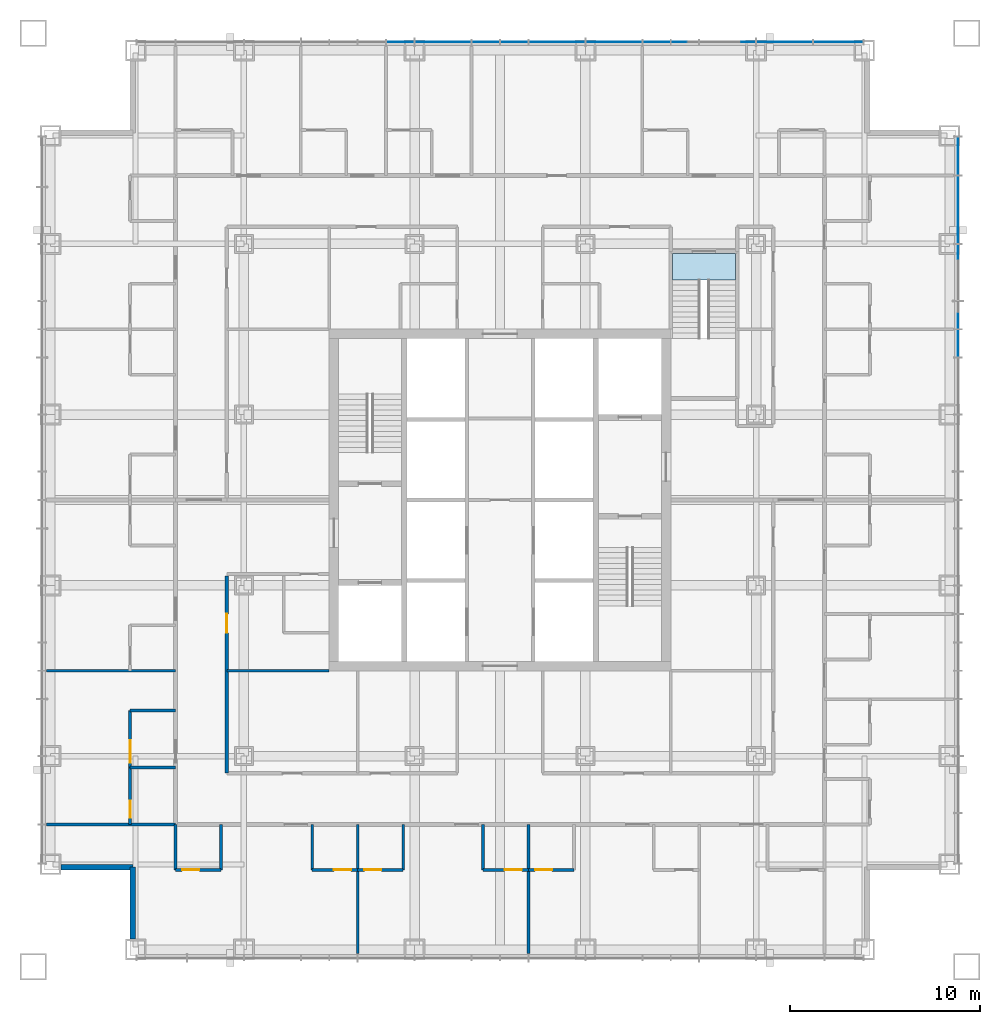
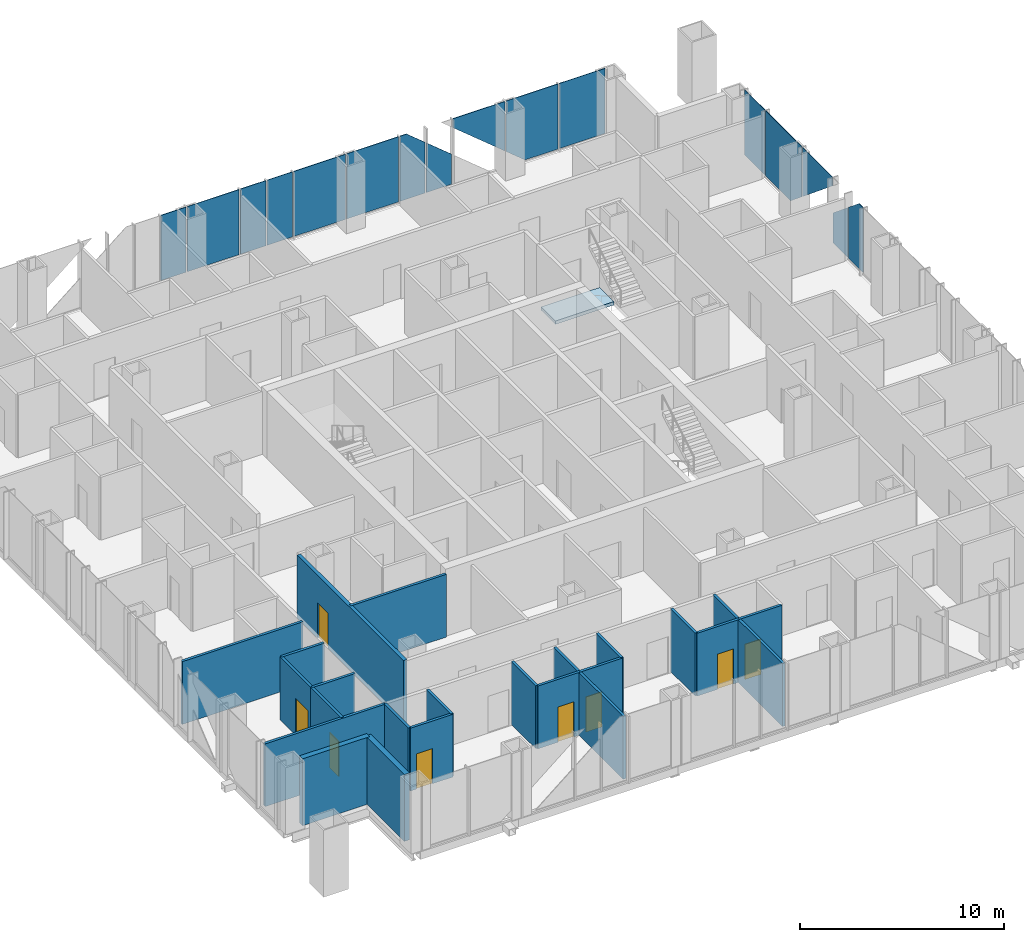
# One storey, part 8 of 16: 22 walls, 16 plates, 8 doors, 1 slab, 8 openings, 3 elements without a shape of their own.
"""IFC4 building model written with IfcOpenShell, lengths in metres."""

from ifc_helpers import new_model, si_unit, direction, frame, frame_2d, origin, origin_2d, place, context, subcontext, project, spatial, polyline, rectangle, outline, extrude, material, layer, layer_set, type_object, element, fill, aggregate, save


model = new_model("IFC4")

# Units and contexts
model_context = context("Model", 3, precision=1e-05, world=origin(), true_north=direction((0.0, 1.0)))
body_context = subcontext(model_context, "Body", "Model", "MODEL_VIEW")
ifc_project = project(units=[si_unit("LENGTHUNIT", "METRE"), si_unit("AREAUNIT", "SQUARE_METRE"), si_unit("VOLUMEUNIT", "CUBIC_METRE"), si_unit("PLANEANGLEUNIT", "RADIAN"), si_unit("MASSUNIT", "GRAM", prefix="KILO")], contexts=[model_context])

# Site, building, storey
site_placement = place(None, origin())
site = spatial("IfcSite", under=ifc_project, at=site_placement, CompositionType="ELEMENT")
building_placement = place(site_placement, origin())
building = spatial("IfcBuilding", under=site, at=building_placement, Name="Malebo Sky Hospital", CompositionType="ELEMENT")
storey_placement = place(building_placement, frame((0.0, 0.0, 108.0)))
storey = spatial("IfcBuildingStorey", under=building, at=storey_placement, Name="L25", CompositionType="ELEMENT", Elevation=108.0)

# Stair, slab
ifc_material_1 = material(Name="Concrete C40/50", Category="concrete")
stair_type = type_object("IfcStairType", Name="HALF-TURN STAIR 1400 R167", PredefinedType="HALF_TURN_STAIR", material=ifc_material_1)
stair_placement = place(storey_placement, origin())
stair = element("IfcStair", 1, at=stair_placement, inside=storey, type_object=stair_type, Name="Stair S3 L25 type ST1B", PredefinedType="HALF_TURN_STAIR")
ifc_layer_1 = layer(ifc_material_1, 0.199951171875)
ifc_layer_set_1 = layer_set([ifc_layer_1], Name="STAIR LANDING 200")
slab_type = type_object("IfcSlabType", Name="STAIR LANDING 200", PredefinedType="LANDING", material=ifc_layer_set_1)
slab_placement = place(storey_placement, frame((0.0, 0.0, -0.199951171875)))
slab = element("IfcSlab", 2, at=slab_placement, type_object=slab_type, Name="S3 landing 1", PredefinedType="LANDING", context=body_context, shape_type="SweptSolid", body=[
    extrude(outline(polyline([(69.10009765625, 73.60009765625), (72.39990234375, 73.60009765625), (72.39990234375, 75.0), (69.10009765625, 75.0), (69.10009765625, 73.60009765625)])), origin(), (0.0, 0.0, 1.0), 0.199951171875),
])
aggregate(stair, [slab])

# Curtain wall, plates
ifc_material_2 = material(Name="Anodised aluminium, natural silver", Category="aluminium")
ifc_layer_2 = layer(ifc_material_2, 0.25)
ifc_layer_set_2 = layer_set([ifc_layer_2], Name="WARD CURTAIN WALL NORTH AND SOUTH")
curtain_wall_type_1 = type_object("IfcCurtainWallType", Name="WARD CURTAIN WALL NORTH AND SOUTH", PredefinedType="NOTDEFINED", material=ifc_layer_set_2)
curtain_wall_1_placement = place(storey_placement, origin())
curtain_wall_1 = element("IfcCurtainWall", 3, at=curtain_wall_1_placement, inside=storey, type_object=curtain_wall_type_1, Name="NS curtain wall N", PredefinedType="NOTDEFINED")
ifc_material_3 = material(Name="Clear low-iron double glazing", Category="glass")
ifc_layer_3 = layer(ifc_material_3, 0.031982421875)
ifc_layer_set_3 = layer_set([ifc_layer_3], Name="VISION PANEL CLEAR 32")
plate_type = type_object("IfcPlateType", Name="VISION PANEL CLEAR 32", PredefinedType="CURTAIN_PANEL", material=ifc_layer_set_3)
plate_1_placement = place(storey_placement, frame((54.75, 86.135009765625, 0.10009765625), z_axis=(0.0, 0.0, 1.0), x_axis=(1.0, 0.0, 0.0)))
plate_1 = element("IfcPlate", 4, at=plate_1_placement, type_object=plate_type, Name="Panel 7", PredefinedType="CURTAIN_PANEL", context=body_context, shape_type="SweptSolid", body=[
    extrude(rectangle(XDim=1.425048828125, YDim=0.031982421875, at=origin_2d()), origin(), (0.0, 0.0, 1.0), 3.889892578125),
])
plate_2_placement = place(storey_placement, frame((57.0, 86.135009765625, 0.10009765625), z_axis=(0.0, 0.0, 1.0), x_axis=(1.0, 0.0, 0.0)))
plate_2 = element("IfcPlate", 5, at=plate_2_placement, type_object=plate_type, Name="Panel 8", PredefinedType="CURTAIN_PANEL", context=body_context, shape_type="SweptSolid", body=[
    extrude(rectangle(XDim=2.925048828125, YDim=0.031982421875, at=origin_2d()), origin(), (0.0, 0.0, 1.0), 3.889892578125),
])
plate_3_placement = place(storey_placement, frame((59.25, 86.135009765625, 0.10009765625), z_axis=(0.0, 0.0, 1.0), x_axis=(1.0, 0.0, 0.0)))
plate_3 = element("IfcPlate", 6, at=plate_3_placement, type_object=plate_type, Name="Panel 9", PredefinedType="CURTAIN_PANEL", context=body_context, shape_type="SweptSolid", body=[
    extrude(rectangle(XDim=1.425048828125, YDim=0.031982421875, at=origin_2d()), origin(), (0.0, 0.0, 1.0), 3.889892578125),
])
plate_4_placement = place(storey_placement, frame((60.75, 86.135009765625, 0.10009765625), z_axis=(0.0, 0.0, 1.0), x_axis=(1.0, 0.0, 0.0)))
plate_4 = element("IfcPlate", 7, at=plate_4_placement, type_object=plate_type, Name="Panel 10", PredefinedType="CURTAIN_PANEL", context=body_context, shape_type="SweptSolid", body=[
    extrude(rectangle(XDim=1.425048828125, YDim=0.031982421875, at=origin_2d()), origin(), (0.0, 0.0, 1.0), 3.889892578125),
])
plate_5_placement = place(storey_placement, frame((63.0, 86.135009765625, 0.10009765625), z_axis=(0.0, 0.0, 1.0), x_axis=(1.0, 0.0, 0.0)))
plate_5 = element("IfcPlate", 8, at=plate_5_placement, type_object=plate_type, Name="Panel 11", PredefinedType="CURTAIN_PANEL", context=body_context, shape_type="SweptSolid", body=[
    extrude(rectangle(XDim=2.925048828125, YDim=0.031982421875, at=origin_2d()), origin(), (0.0, 0.0, 1.0), 3.889892578125),
])
plate_6_placement = place(storey_placement, frame((66.0, 86.135009765625, 0.10009765625), z_axis=(0.0, 0.0, 1.0), x_axis=(1.0, 0.0, 0.0)))
plate_6 = element("IfcPlate", 9, at=plate_6_placement, type_object=plate_type, Name="Panel 12", PredefinedType="CURTAIN_PANEL", context=body_context, shape_type="SweptSolid", body=[
    extrude(rectangle(XDim=2.925048828125, YDim=0.031982421875, at=origin_2d()), origin(), (0.0, 0.0, 1.0), 3.889892578125),
])
plate_7_placement = place(storey_placement, frame((68.25, 86.135009765625, 0.10009765625), z_axis=(0.0, 0.0, 1.0), x_axis=(1.0, 0.0, 0.0)))
plate_7 = element("IfcPlate", 10, at=plate_7_placement, type_object=plate_type, Name="Panel 13", PredefinedType="CURTAIN_PANEL", context=body_context, shape_type="SweptSolid", body=[
    extrude(outline(polyline([(-0.71240234375, 0.0), (0.71240234375, 0.0), (0.71240234375, 3.02783203125), (-0.333740234375, 3.889892578125), (-0.71240234375, 3.889892578125), (-0.71240234375, 0.0)])), frame((0.0, 0.01611328125, 0.0), z_axis=(0.0, -1.0, 0.0), x_axis=(1.0, 0.0, 0.0)), (0.0, 0.0, 1.0), 0.031982421875),
])
plate_8_placement = place(storey_placement, frame((69.75, 86.135009765625, 0.10009765625), z_axis=(0.0, 0.0, 1.0), x_axis=(1.0, 0.0, 0.0)))
plate_8 = element("IfcPlate", 11, at=plate_8_placement, type_object=plate_type, Name="Panel 14", PredefinedType="CURTAIN_PANEL", context=body_context, shape_type="SweptSolid", body=[
    extrude(outline(polyline([(-0.71240234375, 0.0), (0.71240234375, 0.0), (0.71240234375, 1.79150390625), (-0.71240234375, 2.9658203125), (-0.71240234375, 0.0)])), frame((0.0, 0.01611328125, 0.0), z_axis=(0.0, -1.0, 0.0), x_axis=(1.0, 0.0, 0.0)), (0.0, 0.0, 1.0), 0.031982421875),
])
plate_9_placement = place(storey_placement, frame((72.0, 86.135009765625, 1.0400390625), z_axis=(0.0, 0.0, 1.0), x_axis=(1.0, 0.0, 0.0)))
plate_9 = element("IfcPlate", 12, at=plate_9_placement, type_object=plate_type, Name="Panel 15", PredefinedType="CURTAIN_PANEL", context=body_context, shape_type="SweptSolid", body=[
    extrude(outline(polyline([(1.46240234375, 0.0), (1.46240234375, 2.949951171875), (-1.46240234375, 2.949951171875), (-1.46240234375, 2.41064453125), (1.46240234375, 0.0)])), frame((0.0, 0.01611328125, 0.0), z_axis=(0.0, -1.0, 0.0), x_axis=(1.0, 0.0, 0.0)), (0.0, 0.0, 1.0), 0.031982421875),
])
plate_10_placement = place(storey_placement, frame((75.0, 86.135009765625, 0.10009765625), z_axis=(0.0, 0.0, 1.0), x_axis=(1.0, 0.0, 0.0)))
plate_10 = element("IfcPlate", 13, at=plate_10_placement, type_object=plate_type, Name="Panel 16", PredefinedType="CURTAIN_PANEL", context=body_context, shape_type="SweptSolid", body=[
    extrude(outline(polyline([(-0.39697265625, 0.0), (1.46240234375, 0.0), (1.46240234375, 3.889892578125), (-1.46240234375, 3.889892578125), (-1.46240234375, 0.878173828125), (-0.39697265625, 0.0)])), frame((0.0, 0.01611328125, 0.0), z_axis=(0.0, -1.0, 0.0), x_axis=(1.0, 0.0, 0.0)), (0.0, 0.0, 1.0), 0.031982421875),
])
plate_11_placement = place(storey_placement, frame((77.831298828125, 86.135009765625, 0.10009765625), z_axis=(0.0, 0.0, 1.0), x_axis=(1.0, 0.0, 0.0)))
plate_11 = element("IfcPlate", 14, at=plate_11_placement, type_object=plate_type, Name="Panel 17", PredefinedType="CURTAIN_PANEL", context=body_context, shape_type="SweptSolid", body=[
    extrude(rectangle(XDim=2.58740234375, YDim=0.031982421875, at=origin_2d()), origin(), (0.0, 0.0, 1.0), 3.889892578125),
])
aggregate(curtain_wall_1, [plate_1, plate_2, plate_3, plate_4, plate_5, plate_6, plate_7, plate_8, plate_9, plate_10, plate_11])

ifc_layer_4 = layer(ifc_material_2, 0.25)
ifc_layer_set_4 = layer_set([ifc_layer_4], Name="WARD CURTAIN WALL EAST AND WEST")
curtain_wall_type_2 = type_object("IfcCurtainWallType", Name="WARD CURTAIN WALL EAST AND WEST", PredefinedType="NOTDEFINED", material=ifc_layer_set_4)
curtain_wall_2_placement = place(storey_placement, origin())
curtain_wall_2 = element("IfcCurtainWall", 15, at=curtain_wall_2_placement, inside=storey, type_object=curtain_wall_type_2, Name="EW curtain wall E", PredefinedType="NOTDEFINED")
plate_12_placement = place(storey_placement, frame((84.135009765625, 80.13134765625, 0.10009765625), z_axis=(0.0, 0.0, 1.0), x_axis=(0.0, -1.0, 0.0)))
plate_12 = element("IfcPlate", 16, at=plate_12_placement, type_object=plate_type, Name="Panel 1", PredefinedType="CURTAIN_PANEL", context=body_context, shape_type="SweptSolid", body=[
    extrude(rectangle(XDim=1.987548828125, YDim=0.031982421875, at=origin_2d()), origin(), (0.0, 0.0, 1.0), 3.889892578125),
])
plate_13_placement = place(storey_placement, frame((84.135009765625, 77.300048828125, 0.10009765625), z_axis=(0.0, 0.0, 1.0), x_axis=(0.0, -1.0, 0.0)))
plate_13 = element("IfcPlate", 17, at=plate_13_placement, type_object=plate_type, Name="Panel 2", PredefinedType="CURTAIN_PANEL", context=body_context, shape_type="SweptSolid", body=[
    extrude(outline(polyline([(-1.762451171875, 0.0), (0.697021484375, 0.0), (1.762451171875, 0.878173828125), (1.762451171875, 3.889892578125), (-1.762451171875, 3.889892578125), (-1.762451171875, 0.0)])), frame((0.0, 0.01611328125, 0.0), z_axis=(0.0, -1.0, 0.0), x_axis=(1.0, 0.0, 0.0)), (0.0, 0.0, 1.0), 0.031982421875),
])
plate_14_placement = place(storey_placement, frame((84.135009765625, 74.0, 1.0400390625), z_axis=(0.0, 0.0, 1.0), x_axis=(0.0, -1.0, 0.0)))
plate_14 = element("IfcPlate", 18, at=plate_14_placement, type_object=plate_type, Name="Panel 3", PredefinedType="CURTAIN_PANEL", context=body_context, shape_type="SweptSolid", body=[
    extrude(outline(polyline([(-1.46240234375, 0.0), (1.46240234375, 2.41064453125), (1.46240234375, 2.949951171875), (-1.46240234375, 2.949951171875), (-1.46240234375, 0.0)])), frame((0.0, 0.01611328125, 0.0), z_axis=(0.0, -1.0, 0.0), x_axis=(1.0, 0.0, 0.0)), (0.0, 0.0, 1.0), 0.031982421875),
])
plate_15_placement = place(storey_placement, frame((84.135009765625, 71.75, 0.10009765625), z_axis=(0.0, 0.0, 1.0), x_axis=(0.0, -1.0, 0.0)))
plate_15 = element("IfcPlate", 19, at=plate_15_placement, type_object=plate_type, Name="Panel 4", PredefinedType="CURTAIN_PANEL", context=body_context, shape_type="SweptSolid", body=[
    extrude(outline(polyline([(-0.71240234375, 0.0), (0.71240234375, 0.0), (0.71240234375, 2.9658203125), (-0.71240234375, 1.79150390625), (-0.71240234375, 0.0)])), frame((0.0, 0.01611328125, 0.0), z_axis=(0.0, -1.0, 0.0), x_axis=(1.0, 0.0, 0.0)), (0.0, 0.0, 1.0), 0.031982421875),
])
plate_16_placement = place(storey_placement, frame((84.135009765625, 70.25, 0.10009765625), z_axis=(0.0, 0.0, 1.0), x_axis=(0.0, -1.0, 0.0)))
plate_16 = element("IfcPlate", 20, at=plate_16_placement, type_object=plate_type, Name="Panel 5", PredefinedType="CURTAIN_PANEL", context=body_context, shape_type="SweptSolid", body=[
    extrude(outline(polyline([(-0.71240234375, 0.0), (0.71240234375, 0.0), (0.71240234375, 3.889892578125), (0.333740234375, 3.889892578125), (-0.71240234375, 3.02783203125), (-0.71240234375, 0.0)])), frame((0.0, 0.01611328125, 0.0), z_axis=(0.0, -1.0, 0.0), x_axis=(1.0, 0.0, 0.0)), (0.0, 0.0, 1.0), 0.031982421875),
])
aggregate(curtain_wall_2, [plate_12, plate_13, plate_14, plate_15, plate_16])

# Wall, opening, door
ifc_material_4 = material(Name="Gypsum board on steel studs", Category="steel")
ifc_layer_5 = layer(ifc_material_4, 0.199951171875)
ifc_layer_set_5 = layer_set([ifc_layer_5], Name="CORRIDOR WALL 200")
wall_type_1 = type_object("IfcWallType", Name="CORRIDOR WALL 200", PredefinedType="PARTITIONING", material=ifc_layer_set_5)
wall_1_placement = place(storey_placement, frame((45.60009765625, 47.60009765625, 0.0), z_axis=(0.0, 0.0, 1.0), x_axis=(0.0, 1.0, 0.0)))
wall_1 = element("IfcWall", 21, at=wall_1_placement, inside=storey, type_object=wall_type_1, Name="Corridor Wall 200 WCI1", PredefinedType="PARTITIONING", context=body_context, shape_type="SweptSolid", body=[
    extrude(rectangle(XDim=10.39990234375, YDim=0.199951171875, at=frame_2d((5.199951171875, 0.0))), origin(), (0.0, 0.0, 1.0), 3.75),
])
opening_1_placement = place(wall_1_placement, frame((7.39990234375, 0.0, 0.0)))
opening_1 = element("IfcOpeningElement", 22, at=opening_1_placement, cuts=wall_1, Name="Opening D03", PredefinedType="OPENING", context=body_context, shape_type="SweptSolid", body=[
    extrude(rectangle(XDim=1.0, YDim=2.10009765625, at=frame_2d((0.5, 1.050048828125))), frame((0.0, 0.10986328125, 0.0), z_axis=(0.0, -1.0, 0.0), x_axis=(1.0, 0.0, 0.0)), (0.0, 0.0, 1.0), 0.219970703125),
])
ifc_material_5 = material(Name="Hardwood-faced door leaf in steel frame", Category="steel")
door_type_1 = type_object("IfcDoorType", Name="ROOM DOOR 1000", OperationType="SINGLE_SWING_LEFT", PredefinedType="DOOR", material=ifc_material_5)
door_1_placement = place(opening_1_placement, origin())
door_1 = element("IfcDoor", 23, at=door_1_placement, inside=storey, type_object=door_type_1, Name="Linen store door", OperationType="SINGLE_SWING_LEFT", OverallHeight=2.10009765625, OverallWidth=1.0, PredefinedType="DOOR", context=body_context, shape_type="SweptSolid", body=[
    extrude(rectangle(XDim=1.0, YDim=2.10009765625, at=frame_2d((0.5, 1.050048828125))), frame((0.0, 0.02490234375, 0.0), z_axis=(0.0, -1.0, 0.0), x_axis=(1.0, 0.0, 0.0)), (0.0, 0.0, 1.0), 0.050048828125),
])
fill(opening_1, door_1)

# Walls
ifc_material_6 = material(Name="Anodised aluminium rainscreen on steel framing", Category="steel")
ifc_layer_6 = layer(ifc_material_6, 0.300048828125)
ifc_layer_set_6 = layer_set([ifc_layer_6], Name="NOTCH RAINSCREEN WALL 300")
wall_type_2 = type_object("IfcWallType", Name="NOTCH RAINSCREEN WALL 300", PredefinedType="ELEMENTEDWALL", material=ifc_layer_set_6)
for number, where, z_axis, x_axis, name in (
    (24, (40.64990234375, 38.85009765625, 0.0), (0.0, 0.0, 1.0), (0.0, 1.0, 0.0), "Notch rainscreen wall S1 L25"),
    (25, (40.64990234375, 42.64990234375, 0.0), (0.0, 0.0, 1.0), (-1.0, 0.0, 0.0), "Notch rainscreen wall S2 L25"),
):
    element("IfcWall", number, at=place(storey_placement, frame(where, z_axis=z_axis, x_axis=x_axis)), inside=storey, type_object=wall_type_2, Name=name, PredefinedType="ELEMENTEDWALL", context=body_context, shape_type="SweptSolid", body=[
        extrude(rectangle(XDim=3.7998046875, YDim=0.300048828125, at=frame_2d((1.89990234375, 0.0))), origin(), (0.0, 0.0, 1.0), 4.0),
    ])
ifc_layer_7 = layer(ifc_material_4, 0.14990234375)
ifc_layer_set_7 = layer_set([ifc_layer_7], Name="PARTITION 150")
wall_type_3 = type_object("IfcWallType", Name="PARTITION 150", PredefinedType="PARTITIONING", material=ifc_layer_set_7)
for number, where, z_axis, x_axis, name in (
    (26, (42.89990234375, 53.0, 0.0), (0.0, 0.0, 1.0), (-1.0, 0.0, 0.0), "Partition 150 WP-9.0"),
    (27, (42.89990234375, 44.89990234375, 0.0), (0.0, 0.0, 1.0), (-1.0, 0.0, 0.0), "Partition 150 WP0"),
):
    element("IfcWall", number, at=place(storey_placement, frame(where, z_axis=z_axis, x_axis=x_axis)), inside=storey, type_object=wall_type_3, Name=name, PredefinedType="PARTITIONING", context=body_context, shape_type="SweptSolid", body=[
        extrude(rectangle(XDim=6.809814453125, YDim=0.14990234375, at=frame_2d((3.40478515625, 0.0))), origin(), (0.0, 0.0, 1.0), 3.75),
    ])

# Wall, opening, door
wall_2_placement = place(storey_placement, frame((40.5, 44.89990234375, 0.0), z_axis=(0.0, 0.0, 1.0), x_axis=(0.0, 1.0, 0.0)))
wall_2 = element("IfcWall", 28, at=wall_2_placement, inside=storey, type_object=wall_type_3, Name="Partition 150 WE0F", PredefinedType="PARTITIONING", context=body_context, shape_type="SweptSolid", body=[
    extrude(rectangle(XDim=3.0, YDim=0.14990234375, at=frame_2d((1.5, 0.0))), origin(), (0.0, 0.0, 1.0), 3.75),
])
opening_2_placement = place(wall_2_placement, frame((0.35009765625, 0.0, 0.0)))
opening_2 = element("IfcOpeningElement", 29, at=opening_2_placement, cuts=wall_2, Name="Opening D02", PredefinedType="OPENING", context=body_context, shape_type="SweptSolid", body=[
    extrude(rectangle(XDim=0.89990234375, YDim=2.10009765625, at=frame_2d((0.449951171875, 1.050048828125))), frame((0.0, 0.0849609375, 0.0), z_axis=(0.0, -1.0, 0.0), x_axis=(1.0, 0.0, 0.0)), (0.0, 0.0, 1.0), 0.169921875),
])
door_type_2 = type_object("IfcDoorType", Name="EN-SUITE DOOR 900", OperationType="SINGLE_SWING_LEFT", PredefinedType="DOOR", material=ifc_material_5)
door_2_placement = place(opening_2_placement, origin())
door_2 = element("IfcDoor", 30, at=door_2_placement, inside=storey, type_object=door_type_2, Name="En-suite door", OperationType="SINGLE_SWING_LEFT", OverallHeight=2.10009765625, OverallWidth=0.89990234375, PredefinedType="DOOR", context=body_context, shape_type="SweptSolid", body=[
    extrude(rectangle(XDim=0.89990234375, YDim=2.10009765625, at=frame_2d((0.449951171875, 1.050048828125))), frame((0.0, 0.02490234375, 0.0), z_axis=(0.0, -1.0, 0.0), x_axis=(1.0, 0.0, 0.0)), (0.0, 0.0, 1.0), 0.050048828125),
])
fill(opening_2, door_2)

# Walls
wall_3_placement = place(storey_placement, frame((42.89990234375, 47.89990234375, 0.0), z_axis=(0.0, 0.0, 1.0), x_axis=(-1.0, 0.0, 0.0)))
element("IfcWall", 31, at=wall_3_placement, inside=storey, type_object=wall_type_3, Name="Partition 150 WE0S", PredefinedType="PARTITIONING", context=body_context, shape_type="SweptSolid", body=[
    extrude(rectangle(XDim=2.39990234375, YDim=0.14990234375, at=frame_2d((1.199951171875, 0.0))), origin(), (0.0, 0.0, 1.0), 3.75),
])
wall_4_placement = place(storey_placement, frame((51.0, 53.0, 0.0), z_axis=(0.0, 0.0, 1.0), x_axis=(-1.0, 0.0, 0.0)))
element("IfcWall", 32, at=wall_4_placement, inside=storey, type_object=wall_type_3, Name="Partition 150 WSP0", PredefinedType="PARTITIONING", context=body_context, shape_type="SweptSolid", body=[
    extrude(rectangle(XDim=5.39990234375, YDim=0.14990234375, at=frame_2d((2.699951171875, 0.0))), origin(), (0.0, 0.0, 1.0), 3.75),
])
for number, where, z_axis, x_axis, name in (
    (33, (61.5, 44.89990234375, 0.0), (0.0, 0.0, 1.0), (0.0, -1.0, 0.0), "Partition 150 SP-1.5"),
    (34, (52.5, 44.89990234375, 0.0), (0.0, 0.0, 1.0), (0.0, -1.0, 0.0), "Partition 150 SP+7.5"),
):
    element("IfcWall", number, at=place(storey_placement, frame(where, z_axis=z_axis, x_axis=x_axis)), inside=storey, type_object=wall_type_3, Name=name, PredefinedType="PARTITIONING", context=body_context, shape_type="SweptSolid", body=[
        extrude(rectangle(XDim=6.809814453125, YDim=0.14990234375, at=frame_2d((3.40478515625, 0.0))), origin(), (0.0, 0.0, 1.0), 3.75),
    ])

# Wall, opening, door
wall_5_placement = place(storey_placement, frame((63.89990234375, 42.5, 0.0), z_axis=(0.0, 0.0, 1.0), x_axis=(-1.0, 0.0, 0.0)))
wall_5 = element("IfcWall", 35, at=wall_5_placement, inside=storey, type_object=wall_type_3, Name="Partition 150 SG1F", PredefinedType="PARTITIONING", context=body_context, shape_type="SweptSolid", body=[
    extrude(rectangle(XDim=2.39990234375, YDim=0.14990234375, at=frame_2d((1.199951171875, 0.0))), origin(), (0.0, 0.0, 1.0), 3.75),
])
opening_3_placement = place(wall_5_placement, frame((1.14990234375, 0.0, 0.0)))
opening_3 = element("IfcOpeningElement", 36, at=opening_3_placement, cuts=wall_5, Name="Opening D02", PredefinedType="OPENING", context=body_context, shape_type="SweptSolid", body=[
    extrude(rectangle(XDim=0.89990234375, YDim=2.10009765625, at=frame_2d((0.449951171875, 1.050048828125))), frame((0.0, 0.0849609375, 0.0), z_axis=(0.0, -1.0, 0.0), x_axis=(1.0, 0.0, 0.0)), (0.0, 0.0, 1.0), 0.169921875),
])
door_3_placement = place(opening_3_placement, origin())
door_3 = element("IfcDoor", 37, at=door_3_placement, inside=storey, type_object=door_type_2, Name="En-suite door", OperationType="SINGLE_SWING_RIGHT", OverallHeight=2.10009765625, OverallWidth=0.89990234375, PredefinedType="DOOR", context=body_context, shape_type="SweptSolid", body=[
    extrude(rectangle(XDim=0.89990234375, YDim=2.10009765625, at=frame_2d((0.449951171875, 1.050048828125))), frame((0.0, 0.02490234375, 0.0), z_axis=(0.0, -1.0, 0.0), x_axis=(1.0, 0.0, 0.0)), (0.0, 0.0, 1.0), 0.050048828125),
])
fill(opening_3, door_3)

wall_6_placement = place(storey_placement, frame((61.5, 42.5, 0.0), z_axis=(0.0, 0.0, 1.0), x_axis=(-1.0, 0.0, 0.0)))
wall_6 = element("IfcWall", 38, at=wall_6_placement, inside=storey, type_object=wall_type_3, Name="Partition 150 SE2F", PredefinedType="PARTITIONING", context=body_context, shape_type="SweptSolid", body=[
    extrude(rectangle(XDim=2.39990234375, YDim=0.14990234375, at=frame_2d((1.199951171875, 0.0))), origin(), (0.0, 0.0, 1.0), 3.75),
])
opening_4_placement = place(wall_6_placement, frame((0.35009765625, 0.0, 0.0)))
opening_4 = element("IfcOpeningElement", 39, at=opening_4_placement, cuts=wall_6, Name="Opening D02", PredefinedType="OPENING", context=body_context, shape_type="SweptSolid", body=[
    extrude(rectangle(XDim=0.89990234375, YDim=2.10009765625, at=frame_2d((0.449951171875, 1.050048828125))), frame((0.0, 0.0849609375, 0.0), z_axis=(0.0, -1.0, 0.0), x_axis=(1.0, 0.0, 0.0)), (0.0, 0.0, 1.0), 0.169921875),
])
door_4_placement = place(opening_4_placement, origin())
door_4 = element("IfcDoor", 40, at=door_4_placement, inside=storey, type_object=door_type_2, Name="En-suite door", OperationType="SINGLE_SWING_LEFT", OverallHeight=2.10009765625, OverallWidth=0.89990234375, PredefinedType="DOOR", context=body_context, shape_type="SweptSolid", body=[
    extrude(rectangle(XDim=0.89990234375, YDim=2.10009765625, at=frame_2d((0.449951171875, 1.050048828125))), frame((0.0, 0.02490234375, 0.0), z_axis=(0.0, -1.0, 0.0), x_axis=(1.0, 0.0, 0.0)), (0.0, 0.0, 1.0), 0.050048828125),
])
fill(opening_4, door_4)

# Wall
wall_7_placement = place(storey_placement, frame((59.10009765625, 44.89990234375, 0.0), z_axis=(0.0, 0.0, 1.0), x_axis=(0.0, -1.0, 0.0)))
element("IfcWall", 41, at=wall_7_placement, inside=storey, type_object=wall_type_3, Name="Partition 150 SE2S", PredefinedType="PARTITIONING", context=body_context, shape_type="SweptSolid", body=[
    extrude(rectangle(XDim=2.39990234375, YDim=0.14990234375, at=frame_2d((1.199951171875, 0.0))), origin(), (0.0, 0.0, 1.0), 3.75),
])

# Wall, opening, door
wall_8_placement = place(storey_placement, frame((54.89990234375, 42.5, 0.0), z_axis=(0.0, 0.0, 1.0), x_axis=(-1.0, 0.0, 0.0)))
wall_8 = element("IfcWall", 42, at=wall_8_placement, inside=storey, type_object=wall_type_3, Name="Partition 150 SG2F", PredefinedType="PARTITIONING", context=body_context, shape_type="SweptSolid", body=[
    extrude(rectangle(XDim=2.39990234375, YDim=0.14990234375, at=frame_2d((1.199951171875, 0.0))), origin(), (0.0, 0.0, 1.0), 3.75),
])
opening_5_placement = place(wall_8_placement, frame((1.14990234375, 0.0, 0.0)))
opening_5 = element("IfcOpeningElement", 43, at=opening_5_placement, cuts=wall_8, Name="Opening D02", PredefinedType="OPENING", context=body_context, shape_type="SweptSolid", body=[
    extrude(rectangle(XDim=0.89990234375, YDim=2.10009765625, at=frame_2d((0.449951171875, 1.050048828125))), frame((0.0, 0.0849609375, 0.0), z_axis=(0.0, -1.0, 0.0), x_axis=(1.0, 0.0, 0.0)), (0.0, 0.0, 1.0), 0.169921875),
])
door_5_placement = place(opening_5_placement, origin())
door_5 = element("IfcDoor", 44, at=door_5_placement, inside=storey, type_object=door_type_2, Name="En-suite door", OperationType="SINGLE_SWING_RIGHT", OverallHeight=2.10009765625, OverallWidth=0.89990234375, PredefinedType="DOOR", context=body_context, shape_type="SweptSolid", body=[
    extrude(rectangle(XDim=0.89990234375, YDim=2.10009765625, at=frame_2d((0.449951171875, 1.050048828125))), frame((0.0, 0.02490234375, 0.0), z_axis=(0.0, -1.0, 0.0), x_axis=(1.0, 0.0, 0.0)), (0.0, 0.0, 1.0), 0.050048828125),
])
fill(opening_5, door_5)

# Wall
wall_9_placement = place(storey_placement, frame((54.89990234375, 44.89990234375, 0.0), z_axis=(0.0, 0.0, 1.0), x_axis=(0.0, -1.0, 0.0)))
element("IfcWall", 45, at=wall_9_placement, inside=storey, type_object=wall_type_3, Name="Partition 150 SG2S", PredefinedType="PARTITIONING", context=body_context, shape_type="SweptSolid", body=[
    extrude(rectangle(XDim=2.39990234375, YDim=0.14990234375, at=frame_2d((1.199951171875, 0.0))), origin(), (0.0, 0.0, 1.0), 3.75),
])

# Wall, opening, door
wall_10_placement = place(storey_placement, frame((52.5, 42.5, 0.0), z_axis=(0.0, 0.0, 1.0), x_axis=(-1.0, 0.0, 0.0)))
wall_10 = element("IfcWall", 46, at=wall_10_placement, inside=storey, type_object=wall_type_3, Name="Partition 150 SE3F", PredefinedType="PARTITIONING", context=body_context, shape_type="SweptSolid", body=[
    extrude(rectangle(XDim=2.39990234375, YDim=0.14990234375, at=frame_2d((1.199951171875, 0.0))), origin(), (0.0, 0.0, 1.0), 3.75),
])
opening_6_placement = place(wall_10_placement, frame((0.35009765625, 0.0, 0.0)))
opening_6 = element("IfcOpeningElement", 47, at=opening_6_placement, cuts=wall_10, Name="Opening D02", PredefinedType="OPENING", context=body_context, shape_type="SweptSolid", body=[
    extrude(rectangle(XDim=0.89990234375, YDim=2.10009765625, at=frame_2d((0.449951171875, 1.050048828125))), frame((0.0, 0.0849609375, 0.0), z_axis=(0.0, -1.0, 0.0), x_axis=(1.0, 0.0, 0.0)), (0.0, 0.0, 1.0), 0.169921875),
])
door_6_placement = place(opening_6_placement, origin())
door_6 = element("IfcDoor", 48, at=door_6_placement, inside=storey, type_object=door_type_2, Name="En-suite door", OperationType="SINGLE_SWING_LEFT", OverallHeight=2.10009765625, OverallWidth=0.89990234375, PredefinedType="DOOR", context=body_context, shape_type="SweptSolid", body=[
    extrude(rectangle(XDim=0.89990234375, YDim=2.10009765625, at=frame_2d((0.449951171875, 1.050048828125))), frame((0.0, 0.02490234375, 0.0), z_axis=(0.0, -1.0, 0.0), x_axis=(1.0, 0.0, 0.0)), (0.0, 0.0, 1.0), 0.050048828125),
])
fill(opening_6, door_6)

# Wall
wall_11_placement = place(storey_placement, frame((50.10009765625, 44.89990234375, 0.0), z_axis=(0.0, 0.0, 1.0), x_axis=(0.0, -1.0, 0.0)))
element("IfcWall", 49, at=wall_11_placement, inside=storey, type_object=wall_type_3, Name="Partition 150 SE3S", PredefinedType="PARTITIONING", context=body_context, shape_type="SweptSolid", body=[
    extrude(rectangle(XDim=2.39990234375, YDim=0.14990234375, at=frame_2d((1.199951171875, 0.0))), origin(), (0.0, 0.0, 1.0), 3.75),
])

# Wall, opening, door
wall_12_placement = place(storey_placement, frame((45.300048828125, 42.5, 0.0), z_axis=(0.0, 0.0, 1.0), x_axis=(-1.0, 0.0, 0.0)))
wall_12 = element("IfcWall", 50, at=wall_12_placement, inside=storey, type_object=wall_type_3, Name="Partition 150 SG3F", PredefinedType="PARTITIONING", context=body_context, shape_type="SweptSolid", body=[
    extrude(rectangle(XDim=2.400146484375, YDim=0.14990234375, at=frame_2d((1.2001953125, 0.0))), origin(), (0.0, 0.0, 1.0), 3.75),
])
opening_7_placement = place(wall_12_placement, frame((1.14990234375, 0.0, 0.0)))
opening_7 = element("IfcOpeningElement", 51, at=opening_7_placement, cuts=wall_12, Name="Opening D02", PredefinedType="OPENING", context=body_context, shape_type="SweptSolid", body=[
    extrude(rectangle(XDim=0.89990234375, YDim=2.10009765625, at=frame_2d((0.449951171875, 1.050048828125))), frame((0.0, 0.0849609375, 0.0), z_axis=(0.0, -1.0, 0.0), x_axis=(1.0, 0.0, 0.0)), (0.0, 0.0, 1.0), 0.169921875),
])
door_7_placement = place(opening_7_placement, origin())
door_7 = element("IfcDoor", 52, at=door_7_placement, inside=storey, type_object=door_type_2, Name="En-suite door", OperationType="SINGLE_SWING_RIGHT", OverallHeight=2.10009765625, OverallWidth=0.89990234375, PredefinedType="DOOR", context=body_context, shape_type="SweptSolid", body=[
    extrude(rectangle(XDim=0.89990234375, YDim=2.10009765625, at=frame_2d((0.449951171875, 1.050048828125))), frame((0.0, 0.02490234375, 0.0), z_axis=(0.0, -1.0, 0.0), x_axis=(1.0, 0.0, 0.0)), (0.0, 0.0, 1.0), 0.050048828125),
])
fill(opening_7, door_7)

# Walls
for number, where, z_axis, x_axis, name in (
    (53, (45.300048828125, 44.89990234375, 0.0), (0.0, 0.0, 1.0), (0.0, -1.0, 0.0), "Partition 150 SG3S"),
    (54, (42.89990234375, 44.89990234375, 0.0), (0.0, 0.0, 1.0), (0.0, -1.0, 0.0), "Partition 150 SEZ"),
):
    element("IfcWall", number, at=place(storey_placement, frame(where, z_axis=z_axis, x_axis=x_axis)), inside=storey, type_object=wall_type_3, Name=name, PredefinedType="PARTITIONING", context=body_context, shape_type="SweptSolid", body=[
        extrude(rectangle(XDim=2.39990234375, YDim=0.14990234375, at=frame_2d((1.199951171875, 0.0))), origin(), (0.0, 0.0, 1.0), 3.75),
    ])

# Wall, opening, door
ifc_material_7 = material(Name="Sealed gypsum board on steel studs, taped to the slab", Category="steel")
ifc_layer_8 = layer(ifc_material_7, 0.14990234375)
ifc_layer_set_8 = layer_set([ifc_layer_8], Name="SEALED ISOLATION PARTITION 150")
wall_type_4 = type_object("IfcWallType", Name="SEALED ISOLATION PARTITION 150", PredefinedType="PARTITIONING", material=ifc_layer_set_8)
wall_13_placement = place(storey_placement, frame((40.5, 47.89990234375, 0.0), z_axis=(0.0, 0.0, 1.0), x_axis=(0.0, 1.0, 0.0)))
wall_13 = element("IfcWall", 55, at=wall_13_placement, inside=storey, type_object=wall_type_4, Name="Sealed Isolation Partition 150 WA0F", PredefinedType="PARTITIONING", context=body_context, shape_type="SweptSolid", body=[
    extrude(rectangle(XDim=3.0, YDim=0.14990234375, at=frame_2d((1.5, 0.0))), origin(), (0.0, 0.0, 1.0), 3.75),
])
opening_8_placement = place(wall_13_placement, frame((0.25, 0.0, 0.0)))
opening_8 = element("IfcOpeningElement", 56, at=opening_8_placement, cuts=wall_13, Name="Opening D19", PredefinedType="OPENING", context=body_context, shape_type="SweptSolid", body=[
    extrude(rectangle(XDim=1.199951171875, YDim=2.199951171875, at=frame_2d((0.60009765625, 1.10009765625))), frame((0.0, 0.0849609375, 0.0), z_axis=(0.0, -1.0, 0.0), x_axis=(1.0, 0.0, 0.0)), (0.0, 0.0, 1.0), 0.169921875),
])
ifc_material_8 = material(Name="Hardwood-faced door leaf with perimeter seals in steel frame", Category="steel")
door_type_3 = type_object("IfcDoorType", Name="SEALED ISOLATION ROOM DOOR 1200", OperationType="SINGLE_SWING_LEFT", PredefinedType="DOOR", material=ifc_material_8)
door_8_placement = place(opening_8_placement, origin())
door_8 = element("IfcDoor", 57, at=door_8_placement, inside=storey, type_object=door_type_3, Name="Isolation room door", OperationType="SINGLE_SWING_LEFT", OverallHeight=2.199951171875, OverallWidth=1.199951171875, PredefinedType="DOOR", context=body_context, shape_type="SweptSolid", body=[
    extrude(rectangle(XDim=1.199951171875, YDim=2.199951171875, at=frame_2d((0.60009765625, 1.10009765625))), frame((0.0, 0.02490234375, 0.0), z_axis=(0.0, -1.0, 0.0), x_axis=(1.0, 0.0, 0.0)), (0.0, 0.0, 1.0), 0.050048828125),
])
fill(opening_8, door_8)

# Wall
wall_14_placement = place(storey_placement, frame((42.89990234375, 50.89990234375, 0.0), z_axis=(0.0, 0.0, 1.0), x_axis=(-1.0, 0.0, 0.0)))
element("IfcWall", 58, at=wall_14_placement, inside=storey, type_object=wall_type_4, Name="Sealed Isolation Partition 150 WA0S", PredefinedType="PARTITIONING", context=body_context, shape_type="SweptSolid", body=[
    extrude(rectangle(XDim=2.39990234375, YDim=0.14990234375, at=frame_2d((1.199951171875, 0.0))), origin(), (0.0, 0.0, 1.0), 3.75),
])

save(model, "model.ifc")
